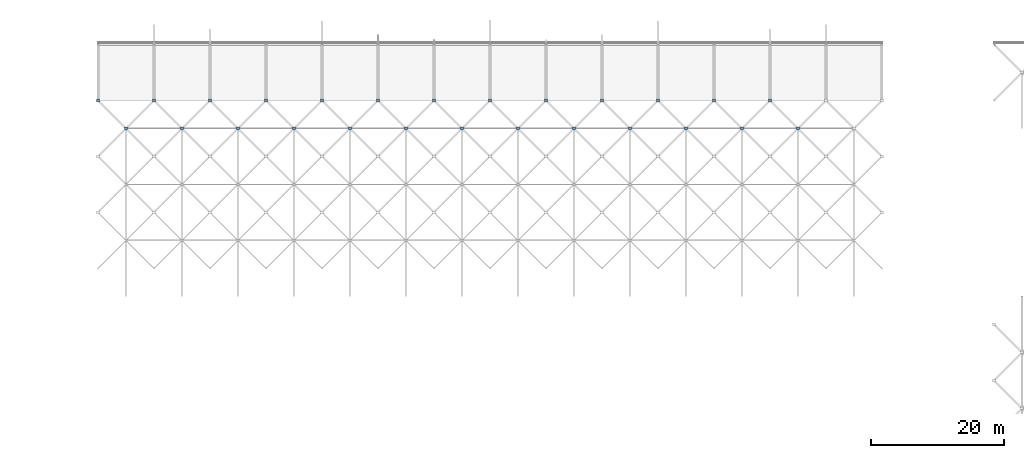
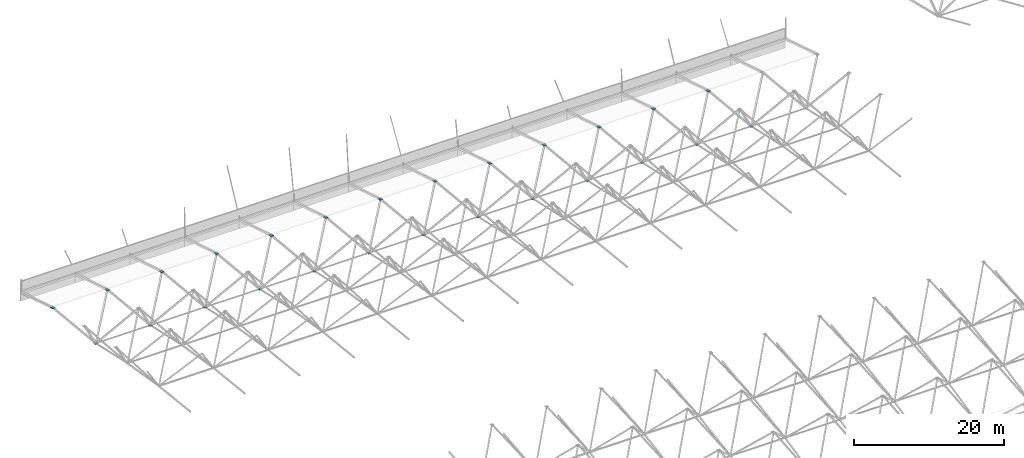
# One storey, part 65 of 85: 26 discrete accessories.
"""IFC4 building model written with IfcOpenShell, lengths in metres."""

from ifc_helpers import new_model, si_unit, direction, frame, origin, origin_2d, place, context, subcontext, project, spatial, rectangle, extrude, material, layer, layer_set, type_object, element, save


model = new_model("IFC4")

# Units and contexts
model_context = context("Model", 3, precision=1e-05, world=origin(), true_north=direction((0.0, 1.0)))
body_context = subcontext(model_context, "Body", "Model", "MODEL_VIEW")
ifc_project = project(units=[si_unit("LENGTHUNIT", "METRE"), si_unit("AREAUNIT", "SQUARE_METRE"), si_unit("VOLUMEUNIT", "CUBIC_METRE"), si_unit("PLANEANGLEUNIT", "RADIAN"), si_unit("MASSUNIT", "GRAM", prefix="KILO")], contexts=[model_context])

# Site, building, storey
site_placement = place(None, origin())
site = spatial("IfcSite", under=ifc_project, at=site_placement, CompositionType="ELEMENT")
building_placement = place(site_placement, origin())
building = spatial("IfcBuilding", under=site, at=building_placement, Name="Rain Tree Exposition and Congress Centre", CompositionType="ELEMENT")
storey_placement = place(building_placement, frame((0.0, 0.0, 15.0)))
storey = spatial("IfcBuildingStorey", under=building, at=storey_placement, Name="L03", CompositionType="ELEMENT", Elevation=15.0)

# Discrete accessories
ifc_material_1 = material(Name="Steel plate S355J2", Category="steel")
ifc_layer_1 = layer(ifc_material_1, 0.02001953125)
ifc_layer_set_1 = layer_set([ifc_layer_1], Name="Steel plate S355J2")
discrete_accessory_type_1 = type_object("IfcDiscreteAccessoryType", Name="Brace node plate 400x400x20", PredefinedType="BRACKET", material=ifc_layer_set_1)
for number, where, z_axis, x_axis, name in (
    (1, (12.60009765625, 189.0, 0.72265625), (0.0, 0.0, 1.0), (1.0, 0.0, 0.0), "Brace node plate 400"),
    (2, (21.0, 189.0, 0.72265625), (0.0, 0.0, 1.0), (1.0, 0.0, 0.0), "Brace node plate 400"),
    (3, (29.39990234375, 189.0, 0.72265625), (0.0, 0.0, 1.0), (1.0, 0.0, 0.0), "Brace node plate 400"),
    (4, (37.800048828125, 189.0, 0.72265625), (0.0, 0.0, 1.0), (1.0, 0.0, 0.0), "Brace node plate 400"),
    (5, (46.199951171875, 189.0, 0.72265625), (0.0, 0.0, 1.0), (1.0, 0.0, 0.0), "Brace node plate 400"),
    (6, (54.60009765625, 189.0, 0.72265625), (0.0, 0.0, 1.0), (1.0, 0.0, 0.0), "Brace node plate 400"),
    (7, (63.0, 189.0, 0.72265625), (0.0, 0.0, 1.0), (1.0, 0.0, 0.0), "Brace node plate 400"),
    (8, (71.39990234375, 189.0, 0.72265625), (0.0, 0.0, 1.0), (1.0, 0.0, 0.0), "Brace node plate 400"),
    (9, (79.800048828125, 189.0, 0.72265625), (0.0, 0.0, 1.0), (1.0, 0.0, 0.0), "Brace node plate 400"),
    (10, (88.199951171875, 189.0, 0.72265625), (0.0, 0.0, 1.0), (1.0, 0.0, 0.0), "Brace node plate 400"),
    (11, (96.60009765625, 189.0, 0.72265625), (0.0, 0.0, 1.0), (1.0, 0.0, 0.0), "Brace node plate 400"),
    (12, (105.0, 189.0, 0.72265625), (0.0, 0.0, 1.0), (1.0, 0.0, 0.0), "Brace node plate 400"),
    (13, (113.39990234375, 189.0, 0.72265625), (0.0, 0.0, 1.0), (1.0, 0.0, 0.0), "Brace node plate 400"),
):
    element("IfcDiscreteAccessory", number, at=place(storey_placement, frame(where, z_axis=z_axis, x_axis=x_axis)), inside=storey, type_object=discrete_accessory_type_1, Name=name, PredefinedType="BRACKET", context=body_context, shape_type="SweptSolid", body=[
        extrude(rectangle(XDim=0.39990234375, YDim=0.39990234375, at=origin_2d()), origin(), (0.0, 0.0, 1.0), 0.02001953125),
    ])
ifc_material_2 = material(Name="Steel plate S355J2", Category="steel")
ifc_layer_2 = layer(ifc_material_2, 0.02001953125)
ifc_layer_set_2 = layer_set([ifc_layer_2], Name="Steel plate S355J2")
discrete_accessory_type_2 = type_object("IfcDiscreteAccessoryType", Name="Brace node plate 450x450x20", PredefinedType="BRACKET", material=ifc_layer_set_2)
for number, where, z_axis, x_axis, name in (
    (14, (8.39990234375, 193.199951171875, 5.456787109375), (0.0, 0.0, 1.0), (1.0, 0.0, 0.0), "Brace node plate 450"),
    (15, (16.800048828125, 193.199951171875, 5.456787109375), (0.0, 0.0, 1.0), (1.0, 0.0, 0.0), "Brace node plate 450"),
    (16, (25.199951171875, 193.199951171875, 5.456787109375), (0.0, 0.0, 1.0), (1.0, 0.0, 0.0), "Brace node plate 450"),
    (17, (33.60009765625, 193.199951171875, 5.456787109375), (0.0, 0.0, 1.0), (1.0, 0.0, 0.0), "Brace node plate 450"),
    (18, (42.0, 193.199951171875, 5.456787109375), (0.0, 0.0, 1.0), (1.0, 0.0, 0.0), "Brace node plate 450"),
    (19, (50.39990234375, 193.199951171875, 5.456787109375), (0.0, 0.0, 1.0), (1.0, 0.0, 0.0), "Brace node plate 450"),
    (20, (58.800048828125, 193.199951171875, 5.456787109375), (0.0, 0.0, 1.0), (1.0, 0.0, 0.0), "Brace node plate 450"),
    (21, (67.199951171875, 193.199951171875, 5.456787109375), (0.0, 0.0, 1.0), (1.0, 0.0, 0.0), "Brace node plate 450"),
    (22, (75.60009765625, 193.199951171875, 5.456787109375), (0.0, 0.0, 1.0), (1.0, 0.0, 0.0), "Brace node plate 450"),
    (23, (84.0, 193.199951171875, 5.456787109375), (0.0, 0.0, 1.0), (1.0, 0.0, 0.0), "Brace node plate 450"),
    (24, (92.39990234375, 193.199951171875, 5.456787109375), (0.0, 0.0, 1.0), (1.0, 0.0, 0.0), "Brace node plate 450"),
    (25, (100.800048828125, 193.199951171875, 5.456787109375), (0.0, 0.0, 1.0), (1.0, 0.0, 0.0), "Brace node plate 450"),
    (26, (109.199951171875, 193.199951171875, 5.456787109375), (0.0, 0.0, 1.0), (1.0, 0.0, 0.0), "Brace node plate 450"),
):
    element("IfcDiscreteAccessory", number, at=place(storey_placement, frame(where, z_axis=z_axis, x_axis=x_axis)), inside=storey, type_object=discrete_accessory_type_2, Name=name, PredefinedType="BRACKET", context=body_context, shape_type="SweptSolid", body=[
        extrude(rectangle(XDim=0.449951171875, YDim=0.449951171875, at=origin_2d()), origin(), (0.0, 0.0, 1.0), 0.02001953125),
    ])

save(model, "model.ifc")
